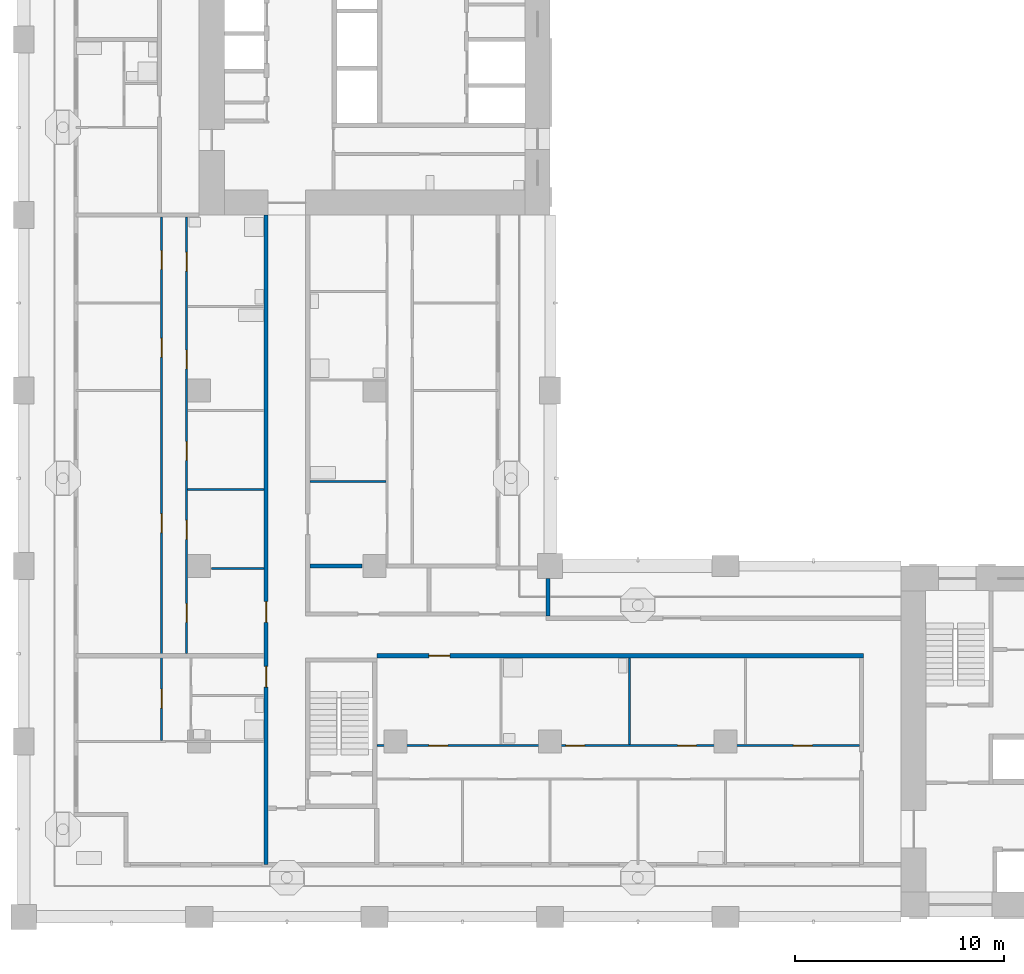
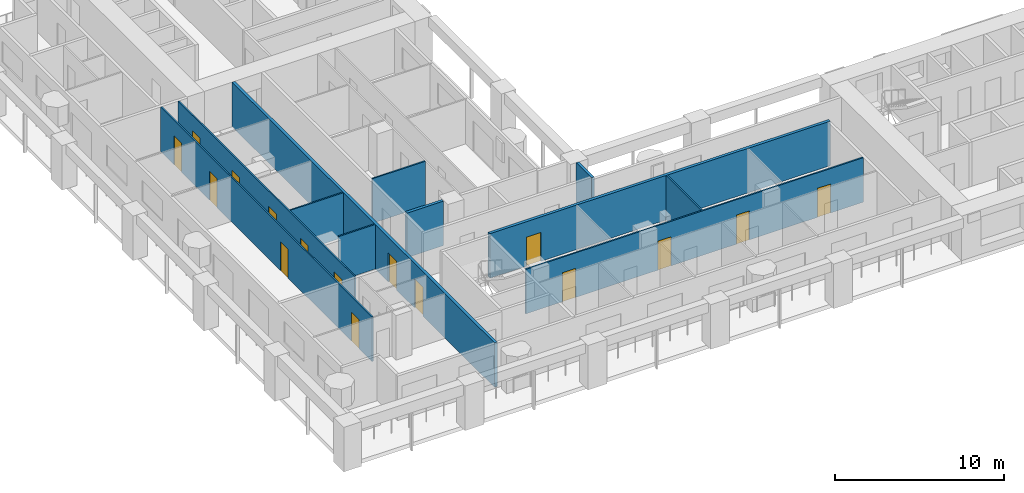
# One storey, part 3 of 18: 16 doors, 11 walls, 16 openings.
"""IFC4 building model written with IfcOpenShell, lengths in metres."""

from ifc_helpers import new_model, si_unit, direction, frame, frame_2d, origin, place, context, subcontext, project, spatial, rectangle, extrude, material, layer, layer_set, type_object, element, fill, save


model = new_model("IFC4")

# Units and contexts
model_context = context("Model", 3, precision=1e-05, world=origin(), true_north=direction((0.0, 1.0)))
body_context = subcontext(model_context, "Body", "Model", "MODEL_VIEW")
ifc_project = project(units=[si_unit("LENGTHUNIT", "METRE"), si_unit("AREAUNIT", "SQUARE_METRE"), si_unit("VOLUMEUNIT", "CUBIC_METRE"), si_unit("PLANEANGLEUNIT", "RADIAN"), si_unit("MASSUNIT", "GRAM", prefix="KILO")], contexts=[model_context])

# Site, building, storey
site_placement = place(None, origin())
site = spatial("IfcSite", under=ifc_project, at=site_placement, CompositionType="ELEMENT")
building_placement = place(site_placement, origin())
building = spatial("IfcBuilding", under=site, at=building_placement, Name="Vermilion Gate Residences", CompositionType="ELEMENT")
storey_placement = place(building_placement, frame((0.0, 0.0, 102.199951171875)))
storey = spatial("IfcBuildingStorey", under=building, at=storey_placement, Name="L25", CompositionType="ELEMENT", Elevation=102.199951171875)

# Wall
ifc_material_1 = material(Name="Insulated steel stud wall with terracotta rainscreen", Category="masonry")
ifc_layer_1 = layer(ifc_material_1, 0.199951171875)
ifc_layer_set_1 = layer_set([ifc_layer_1], Name="EXTERNAL WALL 200 TERRACOTTA RAINSCREEN")
wall_type_1 = type_object("IfcWallType", Name="EXTERNAL WALL 200 TERRACOTTA RAINSCREEN", PredefinedType="SOLIDWALL", material=ifc_layer_set_1)
wall_1_placement = place(storey_placement, frame((25.10009765625, 22.800048828125, 0.0), z_axis=(0.0, 0.0, 1.0), x_axis=(0.0, 1.0, 0.0)))
element("IfcWall", 1, at=wall_1_placement, inside=storey, type_object=wall_type_1, Name="External wall", PredefinedType="SOLIDWALL", context=body_context, shape_type="SweptSolid", body=[
    extrude(rectangle(XDim=1.800048828125, YDim=0.199951171875, at=frame_2d((0.89990234375, 0.0))), origin(), (0.0, 0.0, 1.0), 3.219970703125),
])

# Wall, openings, doors
ifc_material_2 = material(Name="Plasterboard on steel studs", Category="steel")
ifc_layer_2 = layer(ifc_material_2, 0.10009765625)
ifc_layer_set_2 = layer_set([ifc_layer_2], Name="PARTITION 100")
wall_type_2 = type_object("IfcWallType", Name="PARTITION 100", PredefinedType="PARTITIONING", material=ifc_layer_set_2)
wall_2_placement = place(storey_placement, frame((16.89990234375, 16.60009765625, 0.0), z_axis=(0.0, 0.0, 1.0), x_axis=(1.0, 0.0, 0.0)))
wall_2 = element("IfcWall", 2, at=wall_2_placement, inside=storey, type_object=wall_type_2, Name="Partition", PredefinedType="PARTITIONING", context=body_context, shape_type="SweptSolid", body=[
    extrude(rectangle(XDim=23.10009765625, YDim=0.10009765625, at=frame_2d((11.550048828125, 0.0))), origin(), (0.0, 0.0, 1.0), 3.219970703125),
])
opening_1_placement = place(wall_2_placement, frame((2.5, 0.0, 0.0)))
opening_1 = element("IfcOpeningElement", 3, at=opening_1_placement, cuts=wall_2, Name="Opening DA25007", PredefinedType="OPENING", context=body_context, shape_type="SweptSolid", body=[
    extrude(rectangle(XDim=0.89990234375, YDim=2.10009765625, at=frame_2d((0.449951171875, 1.050048828125))), frame((0.0, 0.06005859375, 0.0), z_axis=(0.0, -1.0, 0.0), x_axis=(1.0, 0.0, 0.0)), (0.0, 0.0, 1.0), 0.1201171875),
])
opening_2_placement = place(wall_2_placement, frame((9.050048828125, 0.0, 0.0)))
opening_2 = element("IfcOpeningElement", 4, at=opening_2_placement, cuts=wall_2, Name="Opening DA25008", PredefinedType="OPENING", context=body_context, shape_type="SweptSolid", body=[
    extrude(rectangle(XDim=0.89990234375, YDim=2.10009765625, at=frame_2d((0.449951171875, 1.050048828125))), frame((0.0, 0.06005859375, 0.0), z_axis=(0.0, -1.0, 0.0), x_axis=(1.0, 0.0, 0.0)), (0.0, 0.0, 1.0), 0.1201171875),
])
opening_3_placement = place(wall_2_placement, frame((14.39990234375, 0.0, 0.0)))
opening_3 = element("IfcOpeningElement", 5, at=opening_3_placement, cuts=wall_2, Name="Opening DA25009", PredefinedType="OPENING", context=body_context, shape_type="SweptSolid", body=[
    extrude(rectangle(XDim=0.89990234375, YDim=2.10009765625, at=frame_2d((0.449951171875, 1.050048828125))), frame((0.0, 0.06005859375, 0.0), z_axis=(0.0, -1.0, 0.0), x_axis=(1.0, 0.0, 0.0)), (0.0, 0.0, 1.0), 0.1201171875),
])
opening_4_placement = place(wall_2_placement, frame((19.949951171875, 0.0, 0.0)))
opening_4 = element("IfcOpeningElement", 6, at=opening_4_placement, cuts=wall_2, Name="Opening DA25010", PredefinedType="OPENING", context=body_context, shape_type="SweptSolid", body=[
    extrude(rectangle(XDim=0.89990234375, YDim=2.10009765625, at=frame_2d((0.449951171875, 1.050048828125))), frame((0.0, 0.06005859375, 0.0), z_axis=(0.0, -1.0, 0.0), x_axis=(1.0, 0.0, 0.0)), (0.0, 0.0, 1.0), 0.1201171875),
])
ifc_material_3 = material(Name="Timber", Category="wood")
door_type_1 = type_object("IfcDoorType", Name="INTERIOR DOOR 900 X 2100", OperationType="SINGLE_SWING_LEFT", PredefinedType="DOOR", material=ifc_material_3)
door_1_placement = place(opening_1_placement, origin())
door_1 = element("IfcDoor", 7, at=door_1_placement, inside=storey, type_object=door_type_1, Name="Interior door", OperationType="SINGLE_SWING_LEFT", OverallHeight=2.10009765625, OverallWidth=0.89990234375, PredefinedType="DOOR", context=body_context, shape_type="SweptSolid", body=[
    extrude(rectangle(XDim=0.89990234375, YDim=2.10009765625, at=frame_2d((0.449951171875, 1.050048828125))), frame((0.0, 0.02490234375, 0.0), z_axis=(0.0, -1.0, 0.0), x_axis=(1.0, 0.0, 0.0)), (0.0, 0.0, 1.0), 0.050048828125),
])
fill(opening_1, door_1)
door_2_placement = place(opening_2_placement, origin())
door_2 = element("IfcDoor", 8, at=door_2_placement, inside=storey, type_object=door_type_1, Name="Interior door", OperationType="SINGLE_SWING_LEFT", OverallHeight=2.10009765625, OverallWidth=0.89990234375, PredefinedType="DOOR", context=body_context, shape_type="SweptSolid", body=[
    extrude(rectangle(XDim=0.89990234375, YDim=2.10009765625, at=frame_2d((0.449951171875, 1.050048828125))), frame((0.0, 0.02490234375, 0.0), z_axis=(0.0, -1.0, 0.0), x_axis=(1.0, 0.0, 0.0)), (0.0, 0.0, 1.0), 0.050048828125),
])
fill(opening_2, door_2)
door_3_placement = place(opening_3_placement, origin())
door_3 = element("IfcDoor", 9, at=door_3_placement, inside=storey, type_object=door_type_1, Name="Interior door", OperationType="SINGLE_SWING_RIGHT", OverallHeight=2.10009765625, OverallWidth=0.89990234375, PredefinedType="DOOR", context=body_context, shape_type="SweptSolid", body=[
    extrude(rectangle(XDim=0.89990234375, YDim=2.10009765625, at=frame_2d((0.449951171875, 1.050048828125))), frame((0.0, 0.02490234375, 0.0), z_axis=(0.0, -1.0, 0.0), x_axis=(1.0, 0.0, 0.0)), (0.0, 0.0, 1.0), 0.050048828125),
])
fill(opening_3, door_3)
door_4_placement = place(opening_4_placement, origin())
door_4 = element("IfcDoor", 10, at=door_4_placement, inside=storey, type_object=door_type_1, Name="Interior door", OperationType="SINGLE_SWING_LEFT", OverallHeight=2.10009765625, OverallWidth=0.89990234375, PredefinedType="DOOR", context=body_context, shape_type="SweptSolid", body=[
    extrude(rectangle(XDim=0.89990234375, YDim=2.10009765625, at=frame_2d((0.449951171875, 1.050048828125))), frame((0.0, 0.02490234375, 0.0), z_axis=(0.0, -1.0, 0.0), x_axis=(1.0, 0.0, 0.0)), (0.0, 0.0, 1.0), 0.050048828125),
])
fill(opening_4, door_4)

# Walls
wall_3_placement = place(storey_placement, frame((9.0, 25.080078125, 0.0), z_axis=(0.0, 0.0, 1.0), x_axis=(1.0, 0.0, 0.0)))
element("IfcWall", 11, at=wall_3_placement, inside=storey, type_object=wall_type_2, Name="Partition", PredefinedType="PARTITIONING", context=body_context, shape_type="SweptSolid", body=[
    extrude(rectangle(XDim=2.5, YDim=0.10009765625, at=frame_2d((1.25, 0.0))), origin(), (0.0, 0.0, 1.0), 3.219970703125),
])
wall_4_placement = place(storey_placement, frame((7.85009765625, 28.860107421875, 0.0), z_axis=(0.0, 0.0, 1.0), x_axis=(1.0, 0.0, 0.0)))
element("IfcWall", 12, at=wall_4_placement, inside=storey, type_object=wall_type_2, Name="Partition", PredefinedType="PARTITIONING", context=body_context, shape_type="SweptSolid", body=[
    extrude(rectangle(XDim=3.64990234375, YDim=0.10009765625, at=frame_2d((1.824951171875, 0.0))), origin(), (0.0, 0.0, 1.0), 3.219970703125),
])
wall_5_placement = place(storey_placement, frame((13.699951171875, 29.25, 0.0), z_axis=(0.0, 0.0, 1.0), x_axis=(1.0, 0.0, 0.0)))
element("IfcWall", 13, at=wall_5_placement, inside=storey, type_object=wall_type_2, Name="Partition", PredefinedType="PARTITIONING", context=body_context, shape_type="SweptSolid", body=[
    extrude(rectangle(XDim=3.650146484375, YDim=0.10009765625, at=frame_2d((1.8251953125, 0.0))), origin(), (0.0, 0.0, 1.0), 3.219970703125),
])

# Wall, openings, doors
wall_6_placement = place(storey_placement, frame((6.60009765625, 16.85009765625, 0.0), z_axis=(0.0, 0.0, 1.0), x_axis=(0.0, 1.0, 0.0)))
wall_6 = element("IfcWall", 14, at=wall_6_placement, inside=storey, type_object=wall_type_2, Name="Partition", PredefinedType="PARTITIONING", context=body_context, shape_type="SweptSolid", body=[
    extrude(rectangle(XDim=25.0498046875, YDim=0.10009765625, at=frame_2d((12.52490234375, 0.0))), origin(), (0.0, 0.0, 1.0), 3.219970703125),
])
opening_5_placement = place(wall_6_placement, frame((1.550048828125, 0.0, 0.0)))
opening_5 = element("IfcOpeningElement", 15, at=opening_5_placement, cuts=wall_6, Name="Opening DA25020", PredefinedType="OPENING", context=body_context, shape_type="SweptSolid", body=[
    extrude(rectangle(XDim=0.89990234375, YDim=2.10009765625, at=frame_2d((0.449951171875, 1.050048828125))), frame((0.0, 0.06005859375, 0.0), z_axis=(0.0, -1.0, 0.0), x_axis=(1.0, 0.0, 0.0)), (0.0, 0.0, 1.0), 0.1201171875),
])
opening_6_placement = place(wall_6_placement, frame((9.949951171875, 0.0, 0.0)))
opening_6 = element("IfcOpeningElement", 16, at=opening_6_placement, cuts=wall_6, Name="Opening DA25021", PredefinedType="OPENING", context=body_context, shape_type="SweptSolid", body=[
    extrude(rectangle(XDim=0.89990234375, YDim=2.10009765625, at=frame_2d((0.449951171875, 1.050048828125))), frame((0.0, 0.06005859375, 0.0), z_axis=(0.0, -1.0, 0.0), x_axis=(1.0, 0.0, 0.0)), (0.0, 0.0, 1.0), 0.1201171875),
])
opening_7_placement = place(wall_6_placement, frame((18.35009765625, 0.0, 0.0)))
opening_7 = element("IfcOpeningElement", 17, at=opening_7_placement, cuts=wall_6, Name="Opening DA25022", PredefinedType="OPENING", context=body_context, shape_type="SweptSolid", body=[
    extrude(rectangle(XDim=0.89990234375, YDim=2.10009765625, at=frame_2d((0.449951171875, 1.050048828125))), frame((0.0, 0.06005859375, 0.0), z_axis=(0.0, -1.0, 0.0), x_axis=(1.0, 0.0, 0.0)), (0.0, 0.0, 1.0), 0.1201171875),
])
opening_8_placement = place(wall_6_placement, frame((22.550048828125, 0.0, 0.0)))
opening_8 = element("IfcOpeningElement", 18, at=opening_8_placement, cuts=wall_6, Name="Opening DA25023", PredefinedType="OPENING", context=body_context, shape_type="SweptSolid", body=[
    extrude(rectangle(XDim=0.89990234375, YDim=2.10009765625, at=frame_2d((0.449951171875, 1.050048828125))), frame((0.0, 0.06005859375, 0.0), z_axis=(0.0, -1.0, 0.0), x_axis=(1.0, 0.0, 0.0)), (0.0, 0.0, 1.0), 0.1201171875),
])
door_5_placement = place(opening_5_placement, origin())
door_5 = element("IfcDoor", 19, at=door_5_placement, inside=storey, type_object=door_type_1, Name="Interior door", OperationType="SINGLE_SWING_RIGHT", OverallHeight=2.10009765625, OverallWidth=0.89990234375, PredefinedType="DOOR", context=body_context, shape_type="SweptSolid", body=[
    extrude(rectangle(XDim=0.89990234375, YDim=2.10009765625, at=frame_2d((0.449951171875, 1.050048828125))), frame((0.0, 0.02490234375, 0.0), z_axis=(0.0, -1.0, 0.0), x_axis=(1.0, 0.0, 0.0)), (0.0, 0.0, 1.0), 0.050048828125),
])
fill(opening_5, door_5)
door_6_placement = place(opening_6_placement, origin())
door_6 = element("IfcDoor", 20, at=door_6_placement, inside=storey, type_object=door_type_1, Name="Interior door", OperationType="SINGLE_SWING_LEFT", OverallHeight=2.10009765625, OverallWidth=0.89990234375, PredefinedType="DOOR", context=body_context, shape_type="SweptSolid", body=[
    extrude(rectangle(XDim=0.89990234375, YDim=2.10009765625, at=frame_2d((0.449951171875, 1.050048828125))), frame((0.0, 0.02490234375, 0.0), z_axis=(0.0, -1.0, 0.0), x_axis=(1.0, 0.0, 0.0)), (0.0, 0.0, 1.0), 0.050048828125),
])
fill(opening_6, door_6)
door_7_placement = place(opening_7_placement, origin())
door_7 = element("IfcDoor", 21, at=door_7_placement, inside=storey, type_object=door_type_1, Name="Interior door", OperationType="SINGLE_SWING_LEFT", OverallHeight=2.10009765625, OverallWidth=0.89990234375, PredefinedType="DOOR", context=body_context, shape_type="SweptSolid", body=[
    extrude(rectangle(XDim=0.89990234375, YDim=2.10009765625, at=frame_2d((0.449951171875, 1.050048828125))), frame((0.0, 0.02490234375, 0.0), z_axis=(0.0, -1.0, 0.0), x_axis=(1.0, 0.0, 0.0)), (0.0, 0.0, 1.0), 0.050048828125),
])
fill(opening_7, door_7)
door_8_placement = place(opening_8_placement, origin())
door_8 = element("IfcDoor", 22, at=door_8_placement, inside=storey, type_object=door_type_1, Name="Interior door", OperationType="SINGLE_SWING_LEFT", OverallHeight=2.10009765625, OverallWidth=0.89990234375, PredefinedType="DOOR", context=body_context, shape_type="SweptSolid", body=[
    extrude(rectangle(XDim=0.89990234375, YDim=2.10009765625, at=frame_2d((0.449951171875, 1.050048828125))), frame((0.0, 0.02490234375, 0.0), z_axis=(0.0, -1.0, 0.0), x_axis=(1.0, 0.0, 0.0)), (0.0, 0.0, 1.0), 0.050048828125),
])
fill(opening_8, door_8)

wall_7_placement = place(storey_placement, frame((7.800048828125, 21.0, 0.0), z_axis=(0.0, 0.0, 1.0), x_axis=(0.0, 1.0, 0.0)))
wall_7 = element("IfcWall", 23, at=wall_7_placement, inside=storey, type_object=wall_type_2, Name="Partition", PredefinedType="PARTITIONING", context=body_context, shape_type="SweptSolid", body=[
    extrude(rectangle(XDim=20.89990234375, YDim=0.10009765625, at=frame_2d((10.449951171875, 0.0))), origin(), (0.0, 0.0, 1.0), 3.219970703125),
])
opening_9_placement = place(wall_7_placement, frame((1.5, 0.0, 0.0)))
opening_9 = element("IfcOpeningElement", 24, at=opening_9_placement, cuts=wall_7, Name="Opening DA25024", PredefinedType="OPENING", context=body_context, shape_type="SweptSolid", body=[
    extrude(rectangle(XDim=0.89990234375, YDim=2.10009765625, at=frame_2d((0.449951171875, 1.050048828125))), frame((0.0, 0.06005859375, 0.0), z_axis=(0.0, -1.0, 0.0), x_axis=(1.0, 0.0, 0.0)), (0.0, 0.0, 1.0), 0.1201171875),
])
opening_10_placement = place(wall_7_placement, frame((5.47998046875, 0.0, 0.0)))
opening_10 = element("IfcOpeningElement", 25, at=opening_10_placement, cuts=wall_7, Name="Opening DA25025", PredefinedType="OPENING", context=body_context, shape_type="SweptSolid", body=[
    extrude(rectangle(XDim=0.89990234375, YDim=2.10009765625, at=frame_2d((0.449951171875, 1.050048828125))), frame((0.0, 0.06005859375, 0.0), z_axis=(0.0, -1.0, 0.0), x_axis=(1.0, 0.0, 0.0)), (0.0, 0.0, 1.0), 0.1201171875),
])
opening_11_placement = place(wall_7_placement, frame((9.260009765625, 0.0, 0.0)))
opening_11 = element("IfcOpeningElement", 26, at=opening_11_placement, cuts=wall_7, Name="Opening DA25026", PredefinedType="OPENING", context=body_context, shape_type="SweptSolid", body=[
    extrude(rectangle(XDim=0.89990234375, YDim=2.10009765625, at=frame_2d((0.449951171875, 1.050048828125))), frame((0.0, 0.06005859375, 0.0), z_axis=(0.0, -1.0, 0.0), x_axis=(1.0, 0.0, 0.0)), (0.0, 0.0, 1.0), 0.1201171875),
])
opening_12_placement = place(wall_7_placement, frame((13.639892578125, 0.0, 0.0)))
opening_12 = element("IfcOpeningElement", 27, at=opening_12_placement, cuts=wall_7, Name="Opening DA25027", PredefinedType="OPENING", context=body_context, shape_type="SweptSolid", body=[
    extrude(rectangle(XDim=0.89990234375, YDim=2.10009765625, at=frame_2d((0.449951171875, 1.050048828125))), frame((0.0, 0.06005859375, 0.0), z_axis=(0.0, -1.0, 0.0), x_axis=(1.0, 0.0, 0.0)), (0.0, 0.0, 1.0), 0.1201171875),
])
opening_13_placement = place(wall_7_placement, frame((18.320068359375, 0.0, 0.0)))
opening_13 = element("IfcOpeningElement", 28, at=opening_13_placement, cuts=wall_7, Name="Opening DA25028", PredefinedType="OPENING", context=body_context, shape_type="SweptSolid", body=[
    extrude(rectangle(XDim=0.89990234375, YDim=2.10009765625, at=frame_2d((0.449951171875, 1.050048828125))), frame((0.0, 0.06005859375, 0.0), z_axis=(0.0, -1.0, 0.0), x_axis=(1.0, 0.0, 0.0)), (0.0, 0.0, 1.0), 0.1201171875),
])
door_9_placement = place(opening_9_placement, frame((0.89990234375, 0.0, 0.0), z_axis=(0.0, 0.0, 1.0), x_axis=(-1.0, 0.0, 0.0)))
door_9 = element("IfcDoor", 29, at=door_9_placement, inside=storey, type_object=door_type_1, Name="Interior door", OperationType="SINGLE_SWING_LEFT", OverallHeight=2.10009765625, OverallWidth=0.89990234375, PredefinedType="DOOR", context=body_context, shape_type="SweptSolid", body=[
    extrude(rectangle(XDim=0.89990234375, YDim=2.10009765625, at=frame_2d((0.449951171875, 1.050048828125))), frame((0.0, 0.02490234375, 0.0), z_axis=(0.0, -1.0, 0.0), x_axis=(1.0, 0.0, 0.0)), (0.0, 0.0, 1.0), 0.050048828125),
])
fill(opening_9, door_9)
door_10_placement = place(opening_10_placement, frame((0.89990234375, 0.0, 0.0), z_axis=(0.0, 0.0, 1.0), x_axis=(-1.0, 0.0, 0.0)))
door_10 = element("IfcDoor", 30, at=door_10_placement, inside=storey, type_object=door_type_1, Name="Interior door", OperationType="SINGLE_SWING_RIGHT", OverallHeight=2.10009765625, OverallWidth=0.89990234375, PredefinedType="DOOR", context=body_context, shape_type="SweptSolid", body=[
    extrude(rectangle(XDim=0.89990234375, YDim=2.10009765625, at=frame_2d((0.449951171875, 1.050048828125))), frame((0.0, 0.02490234375, 0.0), z_axis=(0.0, -1.0, 0.0), x_axis=(1.0, 0.0, 0.0)), (0.0, 0.0, 1.0), 0.050048828125),
])
fill(opening_10, door_10)
door_11_placement = place(opening_11_placement, frame((0.89990234375, 0.0, 0.0), z_axis=(0.0, 0.0, 1.0), x_axis=(-1.0, 0.0, 0.0)))
door_11 = element("IfcDoor", 31, at=door_11_placement, inside=storey, type_object=door_type_1, Name="Interior door", OperationType="SINGLE_SWING_RIGHT", OverallHeight=2.10009765625, OverallWidth=0.89990234375, PredefinedType="DOOR", context=body_context, shape_type="SweptSolid", body=[
    extrude(rectangle(XDim=0.89990234375, YDim=2.10009765625, at=frame_2d((0.449951171875, 1.050048828125))), frame((0.0, 0.02490234375, 0.0), z_axis=(0.0, -1.0, 0.0), x_axis=(1.0, 0.0, 0.0)), (0.0, 0.0, 1.0), 0.050048828125),
])
fill(opening_11, door_11)
door_12_placement = place(opening_12_placement, frame((0.89990234375, 0.0, 0.0), z_axis=(0.0, 0.0, 1.0), x_axis=(-1.0, 0.0, 0.0)))
door_12 = element("IfcDoor", 32, at=door_12_placement, inside=storey, type_object=door_type_1, Name="Interior door", OperationType="SINGLE_SWING_RIGHT", OverallHeight=2.10009765625, OverallWidth=0.89990234375, PredefinedType="DOOR", context=body_context, shape_type="SweptSolid", body=[
    extrude(rectangle(XDim=0.89990234375, YDim=2.10009765625, at=frame_2d((0.449951171875, 1.050048828125))), frame((0.0, 0.02490234375, 0.0), z_axis=(0.0, -1.0, 0.0), x_axis=(1.0, 0.0, 0.0)), (0.0, 0.0, 1.0), 0.050048828125),
])
fill(opening_12, door_12)
door_13_placement = place(opening_13_placement, frame((0.89990234375, 0.0, 0.0), z_axis=(0.0, 0.0, 1.0), x_axis=(-1.0, 0.0, 0.0)))
door_13 = element("IfcDoor", 33, at=door_13_placement, inside=storey, type_object=door_type_1, Name="Interior door", OperationType="SINGLE_SWING_LEFT", OverallHeight=2.10009765625, OverallWidth=0.89990234375, PredefinedType="DOOR", context=body_context, shape_type="SweptSolid", body=[
    extrude(rectangle(XDim=0.89990234375, YDim=2.10009765625, at=frame_2d((0.449951171875, 1.050048828125))), frame((0.0, 0.02490234375, 0.0), z_axis=(0.0, -1.0, 0.0), x_axis=(1.0, 0.0, 0.0)), (0.0, 0.0, 1.0), 0.050048828125),
])
fill(opening_13, door_13)

# Wall
wall_8_placement = place(storey_placement, frame((29.0, 16.64990234375, 0.0), z_axis=(0.0, 0.0, 1.0), x_axis=(0.0, 1.0, 0.0)))
element("IfcWall", 34, at=wall_8_placement, inside=storey, type_object=wall_type_2, Name="Partition", PredefinedType="PARTITIONING", context=body_context, shape_type="SweptSolid", body=[
    extrude(rectangle(XDim=4.150146484375, YDim=0.10009765625, at=frame_2d((2.0751953125, 0.0))), origin(), (0.0, 0.0, 1.0), 3.219970703125),
])

# Wall, opening, door
ifc_material_4 = material(Name="Fire-rated plasterboard on steel studs", Category="steel")
ifc_layer_3 = layer(ifc_material_4, 0.199951171875)
ifc_layer_set_3 = layer_set([ifc_layer_3], Name="PARTY WALL 200 EI 120")
wall_type_3 = type_object("IfcWallType", Name="PARTY WALL 200 EI 120", PredefinedType="PARTITIONING", material=ifc_layer_set_3)
wall_9_placement = place(storey_placement, frame((16.89990234375, 20.89990234375, 0.0), z_axis=(0.0, 0.0, 1.0), x_axis=(1.0, 0.0, 0.0)))
wall_9 = element("IfcWall", 35, at=wall_9_placement, inside=storey, type_object=wall_type_3, Name="Party and corridor wall", PredefinedType="PARTITIONING", context=body_context, shape_type="SweptSolid", body=[
    extrude(rectangle(XDim=23.300048828125, YDim=0.199951171875, at=frame_2d((11.64990234375, 0.0))), origin(), (0.0, 0.0, 1.0), 3.219970703125),
])
opening_14_placement = place(wall_9_placement, frame((2.5, 0.0, 0.0)))
opening_14 = element("IfcOpeningElement", 36, at=opening_14_placement, cuts=wall_9, Name="Opening DA25012", PredefinedType="OPENING", context=body_context, shape_type="SweptSolid", body=[
    extrude(rectangle(XDim=1.0, YDim=2.10009765625, at=frame_2d((0.5, 1.050048828125))), frame((0.0, 0.10986328125, 0.0), z_axis=(0.0, -1.0, 0.0), x_axis=(1.0, 0.0, 0.0)), (0.0, 0.0, 1.0), 0.219970703125),
])
ifc_material_5 = material(Name="Steel", Category="steel")
door_type_2 = type_object("IfcDoorType", Name="ENTRANCE DOOR 1000 X 2100 FD30", OperationType="SINGLE_SWING_LEFT", PredefinedType="DOOR", material=ifc_material_5)
door_14_placement = place(opening_14_placement, frame((1.0, 0.0, 0.0), z_axis=(0.0, 0.0, 1.0), x_axis=(-1.0, 0.0, 0.0)))
door_14 = element("IfcDoor", 37, at=door_14_placement, inside=storey, type_object=door_type_2, Name="Entrance door", OperationType="SINGLE_SWING_LEFT", OverallHeight=2.10009765625, OverallWidth=1.0, PredefinedType="DOOR", context=body_context, shape_type="SweptSolid", body=[
    extrude(rectangle(XDim=1.0, YDim=2.10009765625, at=frame_2d((0.5, 1.050048828125))), frame((0.0, 0.02490234375, 0.0), z_axis=(0.0, -1.0, 0.0), x_axis=(1.0, 0.0, 0.0)), (0.0, 0.0, 1.0), 0.050048828125),
])
fill(opening_14, door_14)

# Wall
wall_10_placement = place(storey_placement, frame((13.699951171875, 25.199951171875, 0.0), z_axis=(0.0, 0.0, 1.0), x_axis=(1.0, 0.0, 0.0)))
element("IfcWall", 38, at=wall_10_placement, inside=storey, type_object=wall_type_3, Name="Party and corridor wall", PredefinedType="PARTITIONING", context=body_context, shape_type="SweptSolid", body=[
    extrude(rectangle(XDim=2.5, YDim=0.199951171875, at=frame_2d((1.25, 0.0))), origin(), (0.0, 0.0, 1.0), 3.219970703125),
])

# Wall, openings, doors
wall_11_placement = place(storey_placement, frame((11.60009765625, 10.89990234375, 0.0), z_axis=(0.0, 0.0, 1.0), x_axis=(0.0, 1.0, 0.0)))
wall_11 = element("IfcWall", 39, at=wall_11_placement, inside=storey, type_object=wall_type_3, Name="Party and corridor wall", PredefinedType="PARTITIONING", context=body_context, shape_type="SweptSolid", body=[
    extrude(rectangle(XDim=31.10009765625, YDim=0.199951171875, at=frame_2d((15.550048828125, 0.0))), origin(), (0.0, 0.0, 1.0), 3.219970703125),
])
opening_15_placement = place(wall_11_placement, frame((8.5, 0.0, 0.0)))
opening_15 = element("IfcOpeningElement", 40, at=opening_15_placement, cuts=wall_11, Name="Opening DA25031", PredefinedType="OPENING", context=body_context, shape_type="SweptSolid", body=[
    extrude(rectangle(XDim=1.0, YDim=2.10009765625, at=frame_2d((0.5, 1.050048828125))), frame((0.0, 0.10986328125, 0.0), z_axis=(0.0, -1.0, 0.0), x_axis=(1.0, 0.0, 0.0)), (0.0, 0.0, 1.0), 0.219970703125),
])
opening_16_placement = place(wall_11_placement, frame((11.60009765625, 0.0, 0.0)))
opening_16 = element("IfcOpeningElement", 41, at=opening_16_placement, cuts=wall_11, Name="Opening DA25032", PredefinedType="OPENING", context=body_context, shape_type="SweptSolid", body=[
    extrude(rectangle(XDim=1.0, YDim=2.10009765625, at=frame_2d((0.5, 1.050048828125))), frame((0.0, 0.10986328125, 0.0), z_axis=(0.0, -1.0, 0.0), x_axis=(1.0, 0.0, 0.0)), (0.0, 0.0, 1.0), 0.219970703125),
])
door_15_placement = place(opening_15_placement, origin())
door_15 = element("IfcDoor", 42, at=door_15_placement, inside=storey, type_object=door_type_2, Name="Entrance door", OperationType="SINGLE_SWING_LEFT", OverallHeight=2.10009765625, OverallWidth=1.0, PredefinedType="DOOR", context=body_context, shape_type="SweptSolid", body=[
    extrude(rectangle(XDim=1.0, YDim=2.10009765625, at=frame_2d((0.5, 1.050048828125))), frame((0.0, 0.02490234375, 0.0), z_axis=(0.0, -1.0, 0.0), x_axis=(1.0, 0.0, 0.0)), (0.0, 0.0, 1.0), 0.050048828125),
])
fill(opening_15, door_15)
door_16_placement = place(opening_16_placement, origin())
door_16 = element("IfcDoor", 43, at=door_16_placement, inside=storey, type_object=door_type_2, Name="Entrance door", OperationType="SINGLE_SWING_LEFT", OverallHeight=2.10009765625, OverallWidth=1.0, PredefinedType="DOOR", context=body_context, shape_type="SweptSolid", body=[
    extrude(rectangle(XDim=1.0, YDim=2.10009765625, at=frame_2d((0.5, 1.050048828125))), frame((0.0, 0.02490234375, 0.0), z_axis=(0.0, -1.0, 0.0), x_axis=(1.0, 0.0, 0.0)), (0.0, 0.0, 1.0), 0.050048828125),
])
fill(opening_16, door_16)

save(model, "model.ifc")
